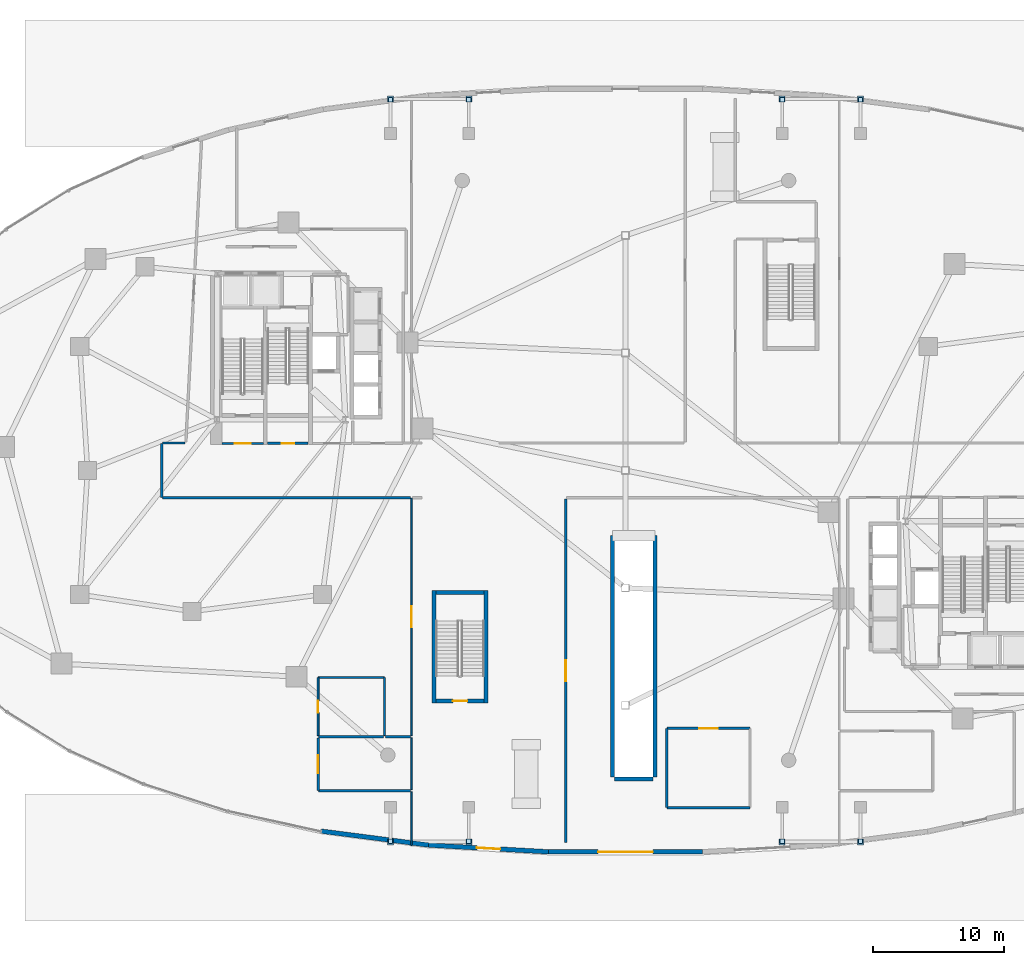
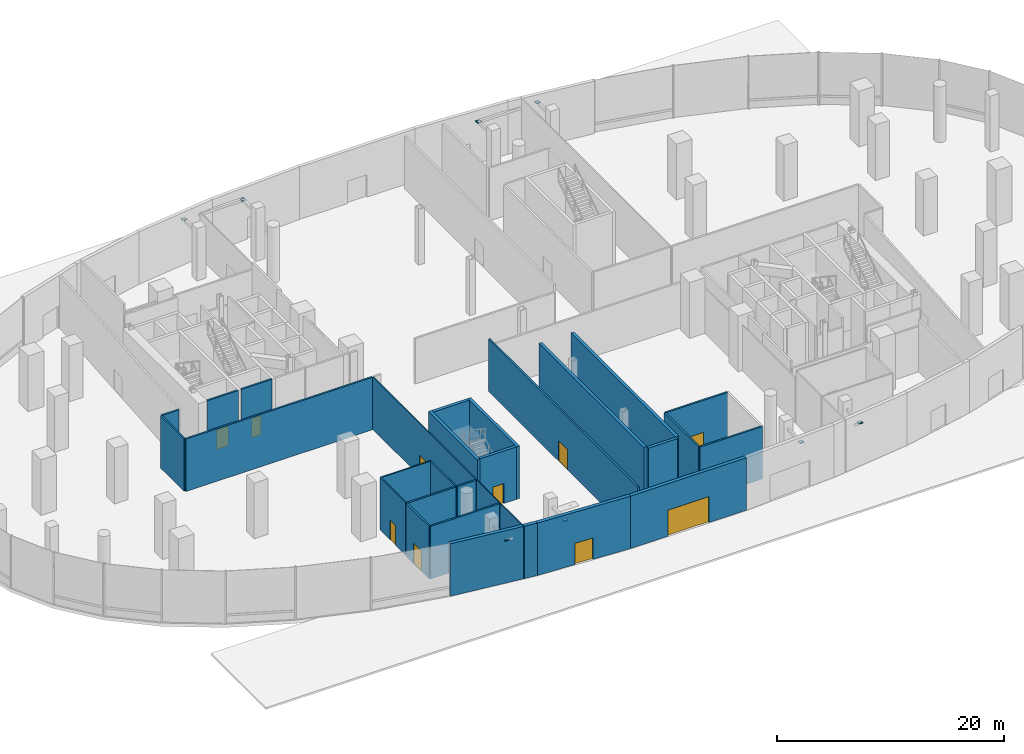
# One storey, part 12 of 20: 29 walls, 16 plates, 10 doors, 10 openings.
"""IFC4 building model written with IfcOpenShell, lengths in metres."""

from ifc_helpers import new_model, si_unit, direction, frame, frame_2d, origin, origin_2d, place, context, subcontext, project, spatial, rectangle, extrude, material, layer, layer_set, type_object, element, fill, save


model = new_model("IFC4")

# Units and contexts
model_context = context("Model", 3, precision=1e-05, world=origin(), true_north=direction((0.0, 1.0)))
body_context = subcontext(model_context, "Body", "Model", "MODEL_VIEW")
ifc_project = project(units=[si_unit("LENGTHUNIT", "METRE"), si_unit("AREAUNIT", "SQUARE_METRE"), si_unit("VOLUMEUNIT", "CUBIC_METRE"), si_unit("PLANEANGLEUNIT", "RADIAN"), si_unit("MASSUNIT", "GRAM", prefix="KILO"), si_unit("THERMODYNAMICTEMPERATUREUNIT", "KELVIN"), si_unit("POWERUNIT", "WATT")], contexts=[model_context])

# Site, building, storey
site_placement = place(None, origin())
site = spatial("IfcSite", under=ifc_project, at=site_placement, CompositionType="ELEMENT")
building_placement = place(site_placement, origin())
building = spatial("IfcBuilding", under=site, at=building_placement, Name="Cundina Bronze Exchange", CompositionType="ELEMENT")
storey_placement = place(building_placement, origin())
storey = spatial("IfcBuildingStorey", under=building, at=storey_placement, Name="L00", CompositionType="ELEMENT", Elevation=0.0)

# Plates
ifc_material_1 = material(Name="Steel ASTM A572 Grade 50", Category="steel")
ifc_layer_1 = layer(ifc_material_1, 0.02001953125, Name="Steel ASTM A572 Grade 50", Category="steel")
ifc_layer_set_1 = layer_set([ifc_layer_1], Name="Steel ASTM A572 Grade 50")
plate_type = type_object("IfcPlateType", Name="PLT-CAP-STL20", PredefinedType="USERDEFINED", material=ifc_layer_set_1)
plate_1_placement = place(storey_placement, frame((-18.0, -28.39990234375, 4.639892578125), z_axis=(0.0, 0.0, 1.0), x_axis=(1.0, 0.0, 0.0)))
element("IfcPlate", 1, at=plate_1_placement, inside=storey, type_object=plate_type, Name="L00 Canopy Outrigger Tip Cap 01", ObjectType="STIFFENER_PLATE", PredefinedType="USERDEFINED", context=body_context, shape_type="SweptSolid", body=[
    extrude(rectangle(XDim=0.340087890625, YDim=0.340087890625, at=origin_2d()), origin(), (0.0, 0.0, 1.0), 0.02001953125),
])
for number, where, z_axis, x_axis, name in (
    (2, (-18.0, -28.449951171875, 4.639892578125), (0.0, 0.0, 1.0), (1.0, 0.0, 0.0), "L00 Canopy Fascia Stringer 01 End Cap Plate 1"),
    (3, (-12.0, -28.449951171875, 4.639892578125), (0.0, 0.0, 1.0), (1.0, 0.0, 0.0), "L00 Canopy Fascia Stringer 01 End Cap Plate 2"),
):
    element("IfcPlate", number, at=place(storey_placement, frame(where, z_axis=z_axis, x_axis=x_axis)), inside=storey, type_object=plate_type, Name=name, ObjectType="STIFFENER_PLATE", PredefinedType="USERDEFINED", context=body_context, shape_type="SweptSolid", body=[
        extrude(rectangle(XDim=0.449951171875, YDim=0.449951171875, at=origin_2d()), origin(), (0.0, 0.0, 1.0), 0.02001953125),
    ])
for number, where, z_axis, x_axis, name in (
    (4, (-12.0, -28.39990234375, 4.639892578125), (0.0, 0.0, 1.0), (1.0, 0.0, 0.0), "L00 Canopy Outrigger Tip Cap 02"),
    (5, (12.0, -28.39990234375, 4.639892578125), (0.0, 0.0, 1.0), (1.0, 0.0, 0.0), "L00 Canopy Outrigger Tip Cap 03"),
):
    element("IfcPlate", number, at=place(storey_placement, frame(where, z_axis=z_axis, x_axis=x_axis)), inside=storey, type_object=plate_type, Name=name, ObjectType="STIFFENER_PLATE", PredefinedType="USERDEFINED", context=body_context, shape_type="SweptSolid", body=[
        extrude(rectangle(XDim=0.340087890625, YDim=0.340087890625, at=origin_2d()), origin(), (0.0, 0.0, 1.0), 0.02001953125),
    ])
for number, where, z_axis, x_axis, name in (
    (6, (12.0, -28.449951171875, 4.639892578125), (0.0, 0.0, 1.0), (1.0, 0.0, 0.0), "L00 Canopy Fascia Stringer 03 End Cap Plate 1"),
    (7, (18.0, -28.449951171875, 4.639892578125), (0.0, 0.0, 1.0), (1.0, 0.0, 0.0), "L00 Canopy Fascia Stringer 03 End Cap Plate 2"),
):
    element("IfcPlate", number, at=place(storey_placement, frame(where, z_axis=z_axis, x_axis=x_axis)), inside=storey, type_object=plate_type, Name=name, ObjectType="STIFFENER_PLATE", PredefinedType="USERDEFINED", context=body_context, shape_type="SweptSolid", body=[
        extrude(rectangle(XDim=0.449951171875, YDim=0.449951171875, at=origin_2d()), origin(), (0.0, 0.0, 1.0), 0.02001953125),
    ])
for number, where, z_axis, x_axis, name in (
    (8, (18.0, -28.39990234375, 4.639892578125), (0.0, 0.0, 1.0), (1.0, 0.0, 0.0), "L00 Canopy Outrigger Tip Cap 04"),
    (9, (-18.0, 28.39990234375, 4.639892578125), (0.0, 0.0, 1.0), (1.0, 0.0, 0.0), "L00 North Canopy Outrigger Tip Cap 05"),
):
    element("IfcPlate", number, at=place(storey_placement, frame(where, z_axis=z_axis, x_axis=x_axis)), inside=storey, type_object=plate_type, Name=name, ObjectType="STIFFENER_PLATE", PredefinedType="USERDEFINED", context=body_context, shape_type="SweptSolid", body=[
        extrude(rectangle(XDim=0.340087890625, YDim=0.340087890625, at=origin_2d()), origin(), (0.0, 0.0, 1.0), 0.02001953125),
    ])
for number, where, z_axis, x_axis, name in (
    (10, (-18.0, 28.449951171875, 4.639892578125), (0.0, 0.0, 1.0), (1.0, 0.0, 0.0), "L00 North Canopy Fascia Stringer 05 End Cap Plate 1"),
    (11, (-12.0, 28.449951171875, 4.639892578125), (0.0, 0.0, 1.0), (1.0, 0.0, 0.0), "L00 North Canopy Fascia Stringer 05 End Cap Plate 2"),
):
    element("IfcPlate", number, at=place(storey_placement, frame(where, z_axis=z_axis, x_axis=x_axis)), inside=storey, type_object=plate_type, Name=name, ObjectType="STIFFENER_PLATE", PredefinedType="USERDEFINED", context=body_context, shape_type="SweptSolid", body=[
        extrude(rectangle(XDim=0.449951171875, YDim=0.449951171875, at=origin_2d()), origin(), (0.0, 0.0, 1.0), 0.02001953125),
    ])
for number, where, z_axis, x_axis, name in (
    (12, (-12.0, 28.39990234375, 4.639892578125), (0.0, 0.0, 1.0), (1.0, 0.0, 0.0), "L00 North Canopy Outrigger Tip Cap 06"),
    (13, (12.0, 28.39990234375, 4.639892578125), (0.0, 0.0, 1.0), (1.0, 0.0, 0.0), "L00 North Canopy Outrigger Tip Cap 07"),
):
    element("IfcPlate", number, at=place(storey_placement, frame(where, z_axis=z_axis, x_axis=x_axis)), inside=storey, type_object=plate_type, Name=name, ObjectType="STIFFENER_PLATE", PredefinedType="USERDEFINED", context=body_context, shape_type="SweptSolid", body=[
        extrude(rectangle(XDim=0.340087890625, YDim=0.340087890625, at=origin_2d()), origin(), (0.0, 0.0, 1.0), 0.02001953125),
    ])
for number, where, z_axis, x_axis, name in (
    (14, (12.0, 28.449951171875, 4.639892578125), (0.0, 0.0, 1.0), (1.0, 0.0, 0.0), "L00 North Canopy Fascia Stringer 07 End Cap Plate 1"),
    (15, (18.0, 28.449951171875, 4.639892578125), (0.0, 0.0, 1.0), (1.0, 0.0, 0.0), "L00 North Canopy Fascia Stringer 07 End Cap Plate 2"),
):
    element("IfcPlate", number, at=place(storey_placement, frame(where, z_axis=z_axis, x_axis=x_axis)), inside=storey, type_object=plate_type, Name=name, ObjectType="STIFFENER_PLATE", PredefinedType="USERDEFINED", context=body_context, shape_type="SweptSolid", body=[
        extrude(rectangle(XDim=0.449951171875, YDim=0.449951171875, at=origin_2d()), origin(), (0.0, 0.0, 1.0), 0.02001953125),
    ])
plate_2_placement = place(storey_placement, frame((18.0, 28.39990234375, 4.639892578125), z_axis=(0.0, 0.0, 1.0), x_axis=(1.0, 0.0, 0.0)))
element("IfcPlate", 16, at=plate_2_placement, inside=storey, type_object=plate_type, Name="L00 North Canopy Outrigger Tip Cap 08", ObjectType="STIFFENER_PLATE", PredefinedType="USERDEFINED", context=body_context, shape_type="SweptSolid", body=[
    extrude(rectangle(XDim=0.340087890625, YDim=0.340087890625, at=origin_2d()), origin(), (0.0, 0.0, 1.0), 0.02001953125),
])

# Wall, opening, door
ifc_material_2 = material(Name="Gypsum Fireboard Partition EI120")
ifc_layer_2 = layer(ifc_material_2, 0.179931640625, Name="Gypsum Fireboard Partition EI120")
ifc_layer_set_2 = layer_set([ifc_layer_2], Name="Gypsum Fireboard Partition EI120")
wall_type_1 = type_object("IfcWallType", Name="WL-COR-180", PredefinedType="PARTITIONING", material=ifc_layer_set_2)
wall_1_placement = place(storey_placement, frame((-30.89990234375, 2.06005859375, 0.0), z_axis=(0.0, 0.0, 1.0), x_axis=(1.0, 0.0, 0.0)))
wall_1 = element("IfcWall", 17, at=wall_1_placement, inside=storey, type_object=wall_type_1, Name="L00 W Stair Vestibule Exit Wall", PredefinedType="PARTITIONING", context=body_context, shape_type="SweptSolid", body=[
    extrude(rectangle(XDim=3.159912109375, YDim=0.179931640625, at=frame_2d((1.580078125, 0.0))), origin(), (0.0, 0.0, 1.0), 5.64990234375),
])
opening_1_placement = place(wall_1_placement, frame((0.97998046875, 0.0, 0.0)))
opening_1 = element("IfcOpeningElement", 18, at=opening_1_placement, cuts=wall_1, Name="Opening DF-01", PredefinedType="OPENING", context=body_context, shape_type="SweptSolid", body=[
    extrude(rectangle(XDim=1.199951171875, YDim=2.14990234375, at=frame_2d((0.60009765625, 1.074951171875))), frame((0.0, 0.099853515625, 0.0), z_axis=(0.0, -1.0, 0.0), x_axis=(1.0, 0.0, 0.0)), (0.0, 0.0, 1.0), 0.199951171875),
])
ifc_material_3 = material(Name="Steel ASTM A36 Painted", Category="steel")
door_type_1 = type_object("IfcDoorType", Name="DR-FFL-1200", OperationType="NOTDEFINED", PredefinedType="DOOR", material=ifc_material_3)
door_1_placement = place(opening_1_placement, origin())
door_1 = element("IfcDoor", 19, at=door_1_placement, inside=storey, type_object=door_type_1, Name="L00 W Stair Vestibule Door", OperationType="SINGLE_SWING_LEFT", OverallHeight=2.14990234375, OverallWidth=1.199951171875, PredefinedType="DOOR", context=body_context, shape_type="SweptSolid", body=[
    extrude(rectangle(XDim=1.199951171875, YDim=2.14990234375, at=frame_2d((0.60009765625, 1.074951171875))), frame((0.0, 0.02490234375, 0.0), z_axis=(0.0, -1.0, 0.0), x_axis=(1.0, 0.0, 0.0)), (0.0, 0.0, 1.0), 0.050048828125),
])
fill(opening_1, door_1)

wall_2_placement = place(storey_placement, frame((-27.419921875, 2.070068359375, 0.0), z_axis=(0.0, 0.0, 1.0), x_axis=(1.0, 0.0, 0.0)))
wall_2 = element("IfcWall", 20, at=wall_2_placement, inside=storey, type_object=wall_type_1, Name="L00 Interior Partition 006", PredefinedType="PARTITIONING", context=body_context, shape_type="SweptSolid", body=[
    extrude(rectangle(XDim=3.119873046875, YDim=0.179931640625, at=frame_2d((1.56005859375, 0.0))), origin(), (0.0, 0.0, 1.0), 5.64990234375),
])
opening_2_placement = place(wall_2_placement, frame((1.0849609375, 0.0, 0.0)))
opening_2 = element("IfcOpeningElement", 21, at=opening_2_placement, cuts=wall_2, Name="Opening DW-01", PredefinedType="OPENING", context=body_context, shape_type="SweptSolid", body=[
    extrude(rectangle(XDim=0.949951171875, YDim=2.10009765625, at=frame_2d((0.47509765625, 1.050048828125))), frame((0.0, 0.099853515625, 0.0), z_axis=(0.0, -1.0, 0.0), x_axis=(1.0, 0.0, 0.0)), (0.0, 0.0, 1.0), 0.199951171875),
])
ifc_material_4 = material(Name="Solid Andean Oak Timber Grade A", Category="wood")
door_type_2 = type_object("IfcDoorType", Name="DR-WC-950", OperationType="NOTDEFINED", PredefinedType="DOOR", material=ifc_material_4)
door_2_placement = place(opening_2_placement, origin())
door_2 = element("IfcDoor", 22, at=door_2_placement, inside=storey, type_object=door_type_2, Name="L00 Interior Door 006", OperationType="SINGLE_SWING_LEFT", OverallHeight=2.10009765625, OverallWidth=0.949951171875, PredefinedType="DOOR", context=body_context, shape_type="SweptSolid", body=[
    extrude(rectangle(XDim=0.949951171875, YDim=2.10009765625, at=frame_2d((0.47509765625, 1.050048828125))), frame((0.0, 0.02490234375, 0.0), z_axis=(0.0, -1.0, 0.0), x_axis=(1.0, 0.0, 0.0)), (0.0, 0.0, 1.0), 0.050048828125),
])
fill(opening_2, door_2)

# Wall
wall_3_placement = place(storey_placement, frame((-23.52001953125, -24.5400390625, 0.0), z_axis=(0.0, 0.0, 1.0), x_axis=(1.0, 0.0, 0.0)))
element("IfcWall", 23, at=wall_3_placement, inside=storey, type_object=wall_type_1, Name="L00 Interior Partition 015", PredefinedType="PARTITIONING", context=body_context, shape_type="SweptSolid", body=[
    extrude(rectangle(XDim=7.0400390625, YDim=0.179931640625, at=frame_2d((3.52001953125, 0.0))), origin(), (0.0, 0.0, 1.0), 5.64990234375),
])

# Wall, opening, door
wall_4_placement = place(storey_placement, frame((-23.5400390625, -24.52001953125, 0.0), z_axis=(0.0, 0.0, 1.0), x_axis=(0.0, 1.0, 0.0)))
wall_4 = element("IfcWall", 24, at=wall_4_placement, inside=storey, type_object=wall_type_1, Name="L00 Interior Partition 016", PredefinedType="PARTITIONING", context=body_context, shape_type="SweptSolid", body=[
    extrude(rectangle(XDim=4.0400390625, YDim=0.179931640625, at=frame_2d((2.02001953125, 0.0))), origin(), (0.0, 0.0, 1.0), 5.64990234375),
])
opening_3_placement = place(wall_4_placement, frame((1.320068359375, 0.0, 0.0)))
opening_3 = element("IfcOpeningElement", 25, at=opening_3_placement, cuts=wall_4, Name="Opening DP-01", PredefinedType="OPENING", context=body_context, shape_type="SweptSolid", body=[
    extrude(rectangle(XDim=1.39990234375, YDim=2.199951171875, at=frame_2d((0.699951171875, 1.10009765625))), frame((0.0, 0.099853515625, 0.0), z_axis=(0.0, -1.0, 0.0), x_axis=(1.0, 0.0, 0.0)), (0.0, 0.0, 1.0), 0.199951171875),
])
door_type_3 = type_object("IfcDoorType", Name="DR-PLT-1400", OperationType="NOTDEFINED", PredefinedType="DOOR", material=ifc_material_3)
door_3_placement = place(opening_3_placement, origin())
door_3 = element("IfcDoor", 26, at=door_3_placement, inside=storey, type_object=door_type_3, Name="L00 Interior Door 016", OperationType="SINGLE_SWING_RIGHT", OverallHeight=2.199951171875, OverallWidth=1.39990234375, PredefinedType="DOOR", context=body_context, shape_type="SweptSolid", body=[
    extrude(rectangle(XDim=1.39990234375, YDim=2.199951171875, at=frame_2d((0.699951171875, 1.10009765625))), frame((0.0, 0.02490234375, 0.0), z_axis=(0.0, -1.0, 0.0), x_axis=(1.0, 0.0, 0.0)), (0.0, 0.0, 1.0), 0.050048828125),
])
fill(opening_3, door_3)

# Walls
wall_5_placement = place(storey_placement, frame((-23.52001953125, -20.39990234375, 0.0), z_axis=(0.0, 0.0, 1.0), x_axis=(1.0, 0.0, 0.0)))
element("IfcWall", 27, at=wall_5_placement, inside=storey, type_object=wall_type_1, Name="L00 Interior Partition 017", PredefinedType="PARTITIONING", context=body_context, shape_type="SweptSolid", body=[
    extrude(rectangle(XDim=4.97509765625, YDim=0.179931640625, at=frame_2d((2.487548828125, 0.0))), origin(), (0.0, 0.0, 1.0), 5.64990234375),
])
wall_6_placement = place(storey_placement, frame((-18.375, -20.39990234375, 0.0), z_axis=(0.0, 0.0, 1.0), x_axis=(1.0, 0.0, 0.0)))
element("IfcWall", 28, at=wall_6_placement, inside=storey, type_object=wall_type_1, Name="L00 Interior Partition 018", PredefinedType="PARTITIONING", context=body_context, shape_type="SweptSolid", body=[
    extrude(rectangle(XDim=1.89501953125, YDim=0.179931640625, at=frame_2d((0.947509765625, 0.0))), origin(), (0.0, 0.0, 1.0), 5.64990234375),
])

# Wall, opening, door
wall_7_placement = place(storey_placement, frame((3.179931640625, -19.760009765625, 0.0), z_axis=(0.0, 0.0, 1.0), x_axis=(1.0, 0.0, 0.0)))
wall_7 = element("IfcWall", 29, at=wall_7_placement, inside=storey, type_object=wall_type_1, Name="L00 Interior Partition 025", PredefinedType="PARTITIONING", context=body_context, shape_type="SweptSolid", body=[
    extrude(rectangle(XDim=6.340087890625, YDim=0.179931640625, at=frame_2d((3.169921875, 0.0))), origin(), (0.0, 0.0, 1.0), 5.64990234375),
])
opening_4_placement = place(wall_7_placement, frame((2.469970703125, 0.0, 0.0)))
opening_4 = element("IfcOpeningElement", 30, at=opening_4_placement, cuts=wall_7, Name="Opening DP-01", PredefinedType="OPENING", context=body_context, shape_type="SweptSolid", body=[
    extrude(rectangle(XDim=1.39990234375, YDim=2.199951171875, at=frame_2d((0.699951171875, 1.10009765625))), frame((0.0, 0.099853515625, 0.0), z_axis=(0.0, -1.0, 0.0), x_axis=(1.0, 0.0, 0.0)), (0.0, 0.0, 1.0), 0.199951171875),
])
door_4_placement = place(opening_4_placement, origin())
door_4 = element("IfcDoor", 31, at=door_4_placement, inside=storey, type_object=door_type_3, Name="L00 Interior Door 025", OperationType="SINGLE_SWING_RIGHT", OverallHeight=2.199951171875, OverallWidth=1.39990234375, PredefinedType="DOOR", context=body_context, shape_type="SweptSolid", body=[
    extrude(rectangle(XDim=1.39990234375, YDim=2.199951171875, at=frame_2d((0.699951171875, 1.10009765625))), frame((0.0, 0.02490234375, 0.0), z_axis=(0.0, -1.0, 0.0), x_axis=(1.0, 0.0, 0.0)), (0.0, 0.0, 1.0), 0.050048828125),
])
fill(opening_4, door_4)

# Walls
wall_8_placement = place(storey_placement, frame((3.159912109375, -25.820068359375, 0.0), z_axis=(0.0, 0.0, 1.0), x_axis=(0.0, 1.0, 0.0)))
element("IfcWall", 32, at=wall_8_placement, inside=storey, type_object=wall_type_1, Name="L00 Interior Partition 026", PredefinedType="PARTITIONING", context=body_context, shape_type="SweptSolid", body=[
    extrude(rectangle(XDim=6.0400390625, YDim=0.179931640625, at=frame_2d((3.02001953125, 0.0))), origin(), (0.0, 0.0, 1.0), 5.64990234375),
])
wall_9_placement = place(storey_placement, frame((3.179931640625, -25.840087890625, 0.0), z_axis=(0.0, 0.0, 1.0), x_axis=(1.0, 0.0, 0.0)))
element("IfcWall", 33, at=wall_9_placement, inside=storey, type_object=wall_type_1, Name="L00 Interior Partition 028", PredefinedType="PARTITIONING", context=body_context, shape_type="SweptSolid", body=[
    extrude(rectangle(XDim=6.340087890625, YDim=0.179931640625, at=frame_2d((3.169921875, 0.0))), origin(), (0.0, 0.0, 1.0), 5.64990234375),
])

# Wall, opening, door
wall_10_placement = place(storey_placement, frame((-4.580078125, -28.47998046875, 0.0), z_axis=(0.0, 0.0, 1.0), x_axis=(0.0, 1.0, 0.0)))
wall_10 = element("IfcWall", 34, at=wall_10_placement, inside=storey, type_object=wall_type_1, Name="L00 Interior Partition 029", PredefinedType="PARTITIONING", context=body_context, shape_type="SweptSolid", body=[
    extrude(rectangle(XDim=26.300048828125, YDim=0.179931640625, at=frame_2d((13.14990234375, 0.0))), origin(), (0.0, 0.0, 1.0), 5.64990234375),
])
opening_5_placement = place(wall_10_placement, frame((12.35009765625, 0.0, 0.0)))
opening_5 = element("IfcOpeningElement", 35, at=opening_5_placement, cuts=wall_10, Name="Opening DO-02", PredefinedType="OPENING", context=body_context, shape_type="SweptSolid", body=[
    extrude(rectangle(XDim=1.60009765625, YDim=2.199951171875, at=frame_2d((0.800048828125, 1.10009765625))), frame((0.0, 0.099853515625, 0.0), z_axis=(0.0, -1.0, 0.0), x_axis=(1.0, 0.0, 0.0)), (0.0, 0.0, 1.0), 0.199951171875),
])
door_type_4 = type_object("IfcDoorType", Name="DR-TRD-1600", OperationType="NOTDEFINED", PredefinedType="DOOR", material=ifc_material_4)
door_5_placement = place(opening_5_placement, origin())
door_5 = element("IfcDoor", 36, at=door_5_placement, inside=storey, type_object=door_type_4, Name="L00 Interior Door 029", OperationType="SINGLE_SWING_RIGHT", OverallHeight=2.199951171875, OverallWidth=1.60009765625, PredefinedType="DOOR", context=body_context, shape_type="SweptSolid", body=[
    extrude(rectangle(XDim=1.60009765625, YDim=2.199951171875, at=frame_2d((0.800048828125, 1.10009765625))), frame((0.0, 0.02490234375, 0.0), z_axis=(0.0, -1.0, 0.0), x_axis=(1.0, 0.0, 0.0)), (0.0, 0.0, 1.0), 0.050048828125),
])
fill(opening_5, door_5)

# Walls
wall_11_placement = place(storey_placement, frame((-35.478515625, -2.10009765625, 0.0), z_axis=(0.0, 0.0, 1.0), x_axis=(1.0, 0.0, 0.0)))
element("IfcWall", 37, at=wall_11_placement, inside=storey, type_object=wall_type_1, Name="L00 Interior Partition 040", PredefinedType="PARTITIONING", context=body_context, shape_type="SweptSolid", body=[
    extrude(rectangle(XDim=19.013427734375, YDim=0.179931640625, at=frame_2d((9.5068359375, 0.0))), origin(), (0.0, 0.0, 1.0), 5.64990234375),
])
wall_12_placement = place(storey_placement, frame((-35.52001953125, 2.05859375, 0.0), z_axis=(0.0, 0.0, 1.0), x_axis=(0.0, -1.0, 0.0)))
element("IfcWall", 38, at=wall_12_placement, inside=storey, type_object=wall_type_1, Name="L00 Interior Partition 042", PredefinedType="PARTITIONING", context=body_context, shape_type="SweptSolid", body=[
    extrude(rectangle(XDim=4.1171875, YDim=0.179931640625, at=frame_2d((2.05859375, 0.0))), origin(), (0.0, 0.0, 1.0), 5.64990234375),
])
wall_13_placement = place(storey_placement, frame((-33.75, 2.10009765625, 0.0), z_axis=(0.0, 0.0, 1.0), x_axis=(-1.0, 0.0, 0.0)))
element("IfcWall", 39, at=wall_13_placement, inside=storey, type_object=wall_type_1, Name="L00 Interior Partition 043", PredefinedType="PARTITIONING", context=body_context, shape_type="SweptSolid", body=[
    extrude(rectangle(XDim=1.728515625, YDim=0.179931640625, at=frame_2d((0.8642578125, 0.0))), origin(), (0.0, 0.0, 1.0), 5.64990234375),
])
ifc_material_5 = material(Name="Concrete C40/50", Category="concrete")
ifc_layer_3 = layer(ifc_material_5, 0.35009765625, Name="Concrete C40/50", Category="concrete")
ifc_layer_set_3 = layer_set([ifc_layer_3], Name="Concrete C40/50")
wall_type_2 = type_object("IfcWallType", Name="WL-EXT-350", PredefinedType="SOLIDWALL", material=ifc_layer_set_3)
wall_14_placement = place(storey_placement, frame((-15.07861328125, -28.6982421875, 0.0), z_axis=(0.0, 0.0, 1.0), x_axis=(-0.99168663472, 0.128676410104, 0.0)))
element("IfcWall", 40, at=wall_14_placement, inside=storey, type_object=wall_type_2, Name="L00 Podium Exterior Wall 30", PredefinedType="SOLIDWALL", context=body_context, shape_type="SweptSolid", body=[
    extrude(rectangle(XDim=8.28369140625, YDim=0.35009765625, at=frame_2d((4.141845703125, 0.0))), origin(), (0.0, 0.0, 1.0), 5.64990234375),
])

# Wall, opening, door
wall_15_placement = place(storey_placement, frame((-5.892578125, -29.21630859375, 0.0), z_axis=(0.0, 0.0, 1.0), x_axis=(-0.998413463137, 0.056307695976, 0.0)))
wall_15 = element("IfcWall", 41, at=wall_15_placement, inside=storey, type_object=wall_type_2, Name="L00 Podium Exterior Wall 31", PredefinedType="SOLIDWALL", context=body_context, shape_type="SweptSolid", body=[
    extrude(rectangle(XDim=9.20068359375, YDim=0.35009765625, at=frame_2d((4.600341796875, 0.0))), origin(), (0.0, 0.0, 1.0), 5.64990234375),
])
opening_6_placement = place(wall_15_placement, frame((3.699951171875, 0.0, 0.0)))
opening_6 = element("IfcOpeningElement", 42, at=opening_6_placement, cuts=wall_15, Name="Opening DE-02", PredefinedType="OPENING", context=body_context, shape_type="SweptSolid", body=[
    extrude(rectangle(XDim=1.800048828125, YDim=2.300048828125, at=frame_2d((0.89990234375, 1.14990234375))), frame((0.0, 0.18505859375, 0.0), z_axis=(0.0, -1.0, 0.0), x_axis=(1.0, 0.0, 0.0)), (0.0, 0.0, 1.0), 0.3701171875),
])
ifc_material_6 = material(Name="Anodised Bronze Aluminium 6063-T6", Category="aluminium")
door_type_5 = type_object("IfcDoorType", Name="DR-EXT-1800", OperationType="NOTDEFINED", PredefinedType="DOOR", material=ifc_material_6)
door_6_placement = place(opening_6_placement, origin())
door_6 = element("IfcDoor", 43, at=door_6_placement, inside=storey, type_object=door_type_5, Name="L00 Concourse Street Exit Door EX-31", OperationType="DOUBLE_DOOR_SINGLE_SWING", OverallHeight=2.300048828125, OverallWidth=1.800048828125, PredefinedType="DOOR", context=body_context, shape_type="SweptSolid", body=[
    extrude(rectangle(XDim=1.800048828125, YDim=2.300048828125, at=frame_2d((0.89990234375, 1.14990234375))), frame((0.0, 0.02490234375, 0.0), z_axis=(0.0, -1.0, 0.0), x_axis=(1.0, 0.0, 0.0)), (0.0, 0.0, 1.0), 0.050048828125),
])
fill(opening_6, door_6)

wall_16_placement = place(storey_placement, frame((5.892578125, -29.21630859375, 0.0), z_axis=(0.0, 0.0, 1.0), x_axis=(-1.0, 0.0, 0.0)))
wall_16 = element("IfcWall", 44, at=wall_16_placement, inside=storey, type_object=wall_type_2, Name="L00 Podium Exterior Wall 32", PredefinedType="SOLIDWALL", context=body_context, shape_type="SweptSolid", body=[
    extrude(rectangle(XDim=11.78515625, YDim=0.35009765625, at=frame_2d((5.892578125, 0.0))), origin(), (0.0, 0.0, 1.0), 5.64990234375),
])
opening_7_placement = place(wall_16_placement, frame((3.7919921875, 0.0, 0.0)))
opening_7 = element("IfcOpeningElement", 45, at=opening_7_placement, cuts=wall_16, Name="Opening GT-01", PredefinedType="OPENING", context=body_context, shape_type="SweptSolid", body=[
    extrude(rectangle(XDim=4.199951171875, YDim=2.800048828125, at=frame_2d((2.10009765625, 1.39990234375))), frame((0.0, 0.18505859375, 0.0), z_axis=(0.0, -1.0, 0.0), x_axis=(1.0, 0.0, 0.0)), (0.0, 0.0, 1.0), 0.3701171875),
])
door_type_6 = type_object("IfcDoorType", Name="DR-GAT-4200", OperationType="NOTDEFINED", PredefinedType="GATE", material=ifc_material_3)
door_7_placement = place(opening_7_placement, origin())
door_7 = element("IfcDoor", 46, at=door_7_placement, inside=storey, type_object=door_type_6, Name="L00 Car Park Vehicle Ramp Exit Shutter Gate", OperationType="ROLLINGUP", OverallHeight=2.800048828125, OverallWidth=4.199951171875, PredefinedType="GATE", context=body_context, shape_type="SweptSolid", body=[
    extrude(rectangle(XDim=4.199951171875, YDim=2.800048828125, at=frame_2d((2.10009765625, 1.39990234375))), frame((0.0, 0.02490234375, 0.0), z_axis=(0.0, -1.0, 0.0), x_axis=(1.0, 0.0, 0.0)), (0.0, 0.0, 1.0), 0.050048828125),
])
fill(opening_7, door_7)

# Walls
ifc_material_7 = material(Name="Clear Low-E Insulating Glass 26mm", Category="glass")
ifc_layer_4 = layer(ifc_material_7, 0.10009765625, Name="Clear Low-E Insulating Glass 26mm", Category="glass")
ifc_layer_set_4 = layer_set([ifc_layer_4], Name="Clear Low-E Insulating Glass 26mm")
wall_type_3 = type_object("IfcWallType", Name="WL-GLZ-100", PredefinedType="PARTITIONING", material=ifc_layer_set_4)
wall_17_placement = place(storey_placement, frame((-16.3798828125, -28.74462890625, 0.0), z_axis=(0.0, 0.0, 1.0), x_axis=(0.0, 1.0, 0.0)))
element("IfcWall", 47, at=wall_17_placement, inside=storey, type_object=wall_type_3, Name="L00 Interior Partition 056", PredefinedType="PARTITIONING", context=body_context, shape_type="SweptSolid", body=[
    extrude(rectangle(XDim=4.11962890625, YDim=0.10009765625, at=frame_2d((2.059814453125, 0.0))), origin(), (0.0, 0.0, 1.0), 5.64990234375),
])
wall_18_placement = place(storey_placement, frame((-16.3798828125, -24.455078125, 0.0), z_axis=(0.0, 0.0, 1.0), x_axis=(0.0, 1.0, 0.0)))
element("IfcWall", 48, at=wall_18_placement, inside=storey, type_object=wall_type_3, Name="L00 Interior Partition 057", PredefinedType="PARTITIONING", context=body_context, shape_type="SweptSolid", body=[
    extrude(rectangle(XDim=3.969970703125, YDim=0.10009765625, at=frame_2d((1.98486328125, 0.0))), origin(), (0.0, 0.0, 1.0), 5.64990234375),
])

# Wall, opening, door
wall_19_placement = place(storey_placement, frame((-16.3798828125, -20.31494140625, 0.0), z_axis=(0.0, 0.0, 1.0), x_axis=(0.0, 1.0, 0.0)))
wall_19 = element("IfcWall", 49, at=wall_19_placement, inside=storey, type_object=wall_type_3, Name="L00 Interior Partition 058", PredefinedType="PARTITIONING", context=body_context, shape_type="SweptSolid", body=[
    extrude(rectangle(XDim=18.18505859375, YDim=0.10009765625, at=frame_2d((9.092529296875, 0.0))), origin(), (0.0, 0.0, 1.0), 5.64990234375),
])
opening_8_placement = place(wall_19_placement, frame((8.29248046875, 0.0, 0.0)))
opening_8 = element("IfcOpeningElement", 50, at=opening_8_placement, cuts=wall_19, Name="Opening DO-02", PredefinedType="OPENING", context=body_context, shape_type="SweptSolid", body=[
    extrude(rectangle(XDim=1.60009765625, YDim=2.199951171875, at=frame_2d((0.800048828125, 1.10009765625))), frame((0.0, 0.06005859375, 0.0), z_axis=(0.0, -1.0, 0.0), x_axis=(1.0, 0.0, 0.0)), (0.0, 0.0, 1.0), 0.1201171875),
])
door_8_placement = place(opening_8_placement, origin())
door_8 = element("IfcDoor", 51, at=door_8_placement, inside=storey, type_object=door_type_4, Name="L00 Interior Door 058", OperationType="SINGLE_SWING_RIGHT", OverallHeight=2.199951171875, OverallWidth=1.60009765625, PredefinedType="DOOR", context=body_context, shape_type="SweptSolid", body=[
    extrude(rectangle(XDim=1.60009765625, YDim=2.199951171875, at=frame_2d((0.800048828125, 1.10009765625))), frame((0.0, 0.02490234375, 0.0), z_axis=(0.0, -1.0, 0.0), x_axis=(1.0, 0.0, 0.0)), (0.0, 0.0, 1.0), 0.050048828125),
])
fill(opening_8, door_8)

# Walls
ifc_material_8 = material(Name="Concrete C50/60", Category="concrete")
ifc_layer_5 = layer(ifc_material_8, 0.300048828125, Name="Concrete C50/60", Category="concrete")
ifc_layer_set_5 = layer_set([ifc_layer_5], Name="Concrete C50/60")
wall_type_4 = type_object("IfcWallType", Name="WL-SHFT-300", PredefinedType="SHEAR", material=ifc_layer_set_5)
for number, where, z_axis, x_axis, name in (
    (52, (-1.0, -23.5, 0.0), (0.0, 0.0, 1.0), (0.0, 1.0, 0.0), "L00 Car Park Ramp West Enclosure Wall"),
    (53, (2.25, -23.5, 0.0), (0.0, 0.0, 1.0), (0.0, 1.0, 0.0), "L00 Car Park Ramp East Enclosure Wall"),
):
    element("IfcWall", number, at=place(storey_placement, frame(where, z_axis=z_axis, x_axis=x_axis)), inside=storey, type_object=wall_type_4, Name=name, PredefinedType="SHEAR", context=body_context, shape_type="SweptSolid", body=[
        extrude(rectangle(XDim=18.5, YDim=0.300048828125, at=frame_2d((9.25, 0.0))), origin(), (0.0, 0.0, 1.0), 5.64990234375),
    ])
wall_20_placement = place(storey_placement, frame((-0.85009765625, -23.64990234375, 0.0), z_axis=(0.0, 0.0, 1.0), x_axis=(1.0, 0.0, 0.0)))
element("IfcWall", 54, at=wall_20_placement, inside=storey, type_object=wall_type_4, Name="L00 Car Park Ramp South Enclosure Wall", PredefinedType="SHEAR", context=body_context, shape_type="SweptSolid", body=[
    extrude(rectangle(XDim=2.9501953125, YDim=0.300048828125, at=frame_2d((1.47509765625, 0.0))), origin(), (0.0, 0.0, 1.0), 5.64990234375),
])
for number, where, z_axis, x_axis, name in (
    (55, (-14.669921875, -17.800048828125, 0.0), (0.0, 0.0, 1.0), (0.0, 1.0, 0.0), "L00 Concourse Stair W West Shaft Wall"),
    (56, (-10.669921875, -17.800048828125, 0.0), (0.0, 0.0, 1.0), (0.0, 1.0, 0.0), "L00 Concourse Stair W East Shaft Wall"),
):
    element("IfcWall", number, at=place(storey_placement, frame(where, z_axis=z_axis, x_axis=x_axis)), inside=storey, type_object=wall_type_4, Name=name, PredefinedType="SHEAR", context=body_context, shape_type="SweptSolid", body=[
        extrude(rectangle(XDim=8.60009765625, YDim=0.300048828125, at=frame_2d((4.300048828125, 0.0))), origin(), (0.0, 0.0, 1.0), 5.64990234375),
    ])

# Wall, opening, door
wall_21_placement = place(storey_placement, frame((-14.52001953125, -17.64990234375, 0.0), z_axis=(0.0, 0.0, 1.0), x_axis=(1.0, 0.0, 0.0)))
wall_21 = element("IfcWall", 57, at=wall_21_placement, inside=storey, type_object=wall_type_4, Name="L00 Concourse Stair W Landing Wall", PredefinedType="SHEAR", context=body_context, shape_type="SweptSolid", body=[
    extrude(rectangle(XDim=3.699951171875, YDim=0.300048828125, at=frame_2d((1.85009765625, 0.0))), origin(), (0.0, 0.0, 1.0), 5.64990234375),
])
opening_9_placement = place(wall_21_placement, frame((1.300048828125, 0.0, 0.0)))
opening_9 = element("IfcOpeningElement", 58, at=opening_9_placement, cuts=wall_21, Name="Opening DS-01", PredefinedType="OPENING", context=body_context, shape_type="SweptSolid", body=[
    extrude(rectangle(XDim=1.10009765625, YDim=2.14990234375, at=frame_2d((0.550048828125, 1.074951171875))), frame((0.0, 0.159912109375, 0.0), z_axis=(0.0, -1.0, 0.0), x_axis=(1.0, 0.0, 0.0)), (0.0, 0.0, 1.0), 0.320068359375),
])
door_type_7 = type_object("IfcDoorType", Name="DR-STR-1100", OperationType="NOTDEFINED", PredefinedType="DOOR", material=ifc_material_3)
door_9_placement = place(opening_9_placement, origin())
door_9 = element("IfcDoor", 59, at=door_9_placement, inside=storey, type_object=door_type_7, Name="L00 Concourse Stair W Door", OperationType="SINGLE_SWING_LEFT", OverallHeight=2.14990234375, OverallWidth=1.10009765625, PredefinedType="DOOR", context=body_context, shape_type="SweptSolid", body=[
    extrude(rectangle(XDim=1.10009765625, YDim=2.14990234375, at=frame_2d((0.550048828125, 1.074951171875))), frame((0.0, 0.02490234375, 0.0), z_axis=(0.0, -1.0, 0.0), x_axis=(1.0, 0.0, 0.0)), (0.0, 0.0, 1.0), 0.050048828125),
])
fill(opening_9, door_9)

# Wall
wall_22_placement = place(storey_placement, frame((-14.52001953125, -9.35009765625, 0.0), z_axis=(0.0, 0.0, 1.0), x_axis=(1.0, 0.0, 0.0)))
element("IfcWall", 60, at=wall_22_placement, inside=storey, type_object=wall_type_4, Name="L00 Concourse Stair W Far Shaft Wall", PredefinedType="SHEAR", context=body_context, shape_type="SweptSolid", body=[
    extrude(rectangle(XDim=3.699951171875, YDim=0.300048828125, at=frame_2d((1.85009765625, 0.0))), origin(), (0.0, 0.0, 1.0), 5.64990234375),
])

# Wall, opening, door
ifc_material_9 = material(Name="Moisture-Resistant Masonry Block Grade M15", Category="masonry")
ifc_layer_6 = layer(ifc_material_9, 0.139892578125, Name="Moisture-Resistant Masonry Block Grade M15", Category="masonry")
ifc_layer_set_6 = layer_set([ifc_layer_6], Name="Moisture-Resistant Masonry Block Grade M15")
wall_type_5 = type_object("IfcWallType", Name="WL-WET-140", PredefinedType="PARTITIONING", material=ifc_layer_set_6)
wall_23_placement = place(storey_placement, frame((-23.5400390625, -20.320068359375, 0.0), z_axis=(0.0, 0.0, 1.0), x_axis=(0.0, 1.0, 0.0)))
wall_23 = element("IfcWall", 61, at=wall_23_placement, inside=storey, type_object=wall_type_5, Name="L00 Interior Partition 019", PredefinedType="PARTITIONING", context=body_context, shape_type="SweptSolid", body=[
    extrude(rectangle(XDim=4.440185546875, YDim=0.139892578125, at=frame_2d((2.22021484375, 0.0))), origin(), (0.0, 0.0, 1.0), 5.64990234375),
])
opening_10_placement = place(wall_23_placement, frame((1.7451171875, 0.0, 0.0)))
opening_10 = element("IfcOpeningElement", 62, at=opening_10_placement, cuts=wall_23, Name="Opening DW-01", PredefinedType="OPENING", context=body_context, shape_type="SweptSolid", body=[
    extrude(rectangle(XDim=0.949951171875, YDim=2.10009765625, at=frame_2d((0.47509765625, 1.050048828125))), frame((0.0, 0.079833984375, 0.0), z_axis=(0.0, -1.0, 0.0), x_axis=(1.0, 0.0, 0.0)), (0.0, 0.0, 1.0), 0.159912109375),
])
door_10_placement = place(opening_10_placement, origin())
door_10 = element("IfcDoor", 63, at=door_10_placement, inside=storey, type_object=door_type_2, Name="L00 Interior Door 019", OperationType="SINGLE_SWING_LEFT", OverallHeight=2.10009765625, OverallWidth=0.949951171875, PredefinedType="DOOR", context=body_context, shape_type="SweptSolid", body=[
    extrude(rectangle(XDim=0.949951171875, YDim=2.10009765625, at=frame_2d((0.47509765625, 1.050048828125))), frame((0.0, 0.02490234375, 0.0), z_axis=(0.0, -1.0, 0.0), x_axis=(1.0, 0.0, 0.0)), (0.0, 0.0, 1.0), 0.050048828125),
])
fill(opening_10, door_10)

# Walls
wall_24_placement = place(storey_placement, frame((-23.52001953125, -15.860107421875, 0.0), z_axis=(0.0, 0.0, 1.0), x_axis=(1.0, 0.0, 0.0)))
element("IfcWall", 64, at=wall_24_placement, inside=storey, type_object=wall_type_5, Name="L00 Interior Partition 020", PredefinedType="PARTITIONING", context=body_context, shape_type="SweptSolid", body=[
    extrude(rectangle(XDim=5.0400390625, YDim=0.139892578125, at=frame_2d((2.52001953125, 0.0))), origin(), (0.0, 0.0, 1.0), 5.64990234375),
])
wall_25_placement = place(storey_placement, frame((-18.4599609375, -20.320068359375, 0.0), z_axis=(0.0, 0.0, 1.0), x_axis=(0.0, 1.0, 0.0)))
element("IfcWall", 65, at=wall_25_placement, inside=storey, type_object=wall_type_5, Name="L00 Interior Partition 021", PredefinedType="PARTITIONING", context=body_context, shape_type="SweptSolid", body=[
    extrude(rectangle(XDim=4.440185546875, YDim=0.139892578125, at=frame_2d((2.22021484375, 0.0))), origin(), (0.0, 0.0, 1.0), 5.64990234375),
])

save(model, "model.ifc")
